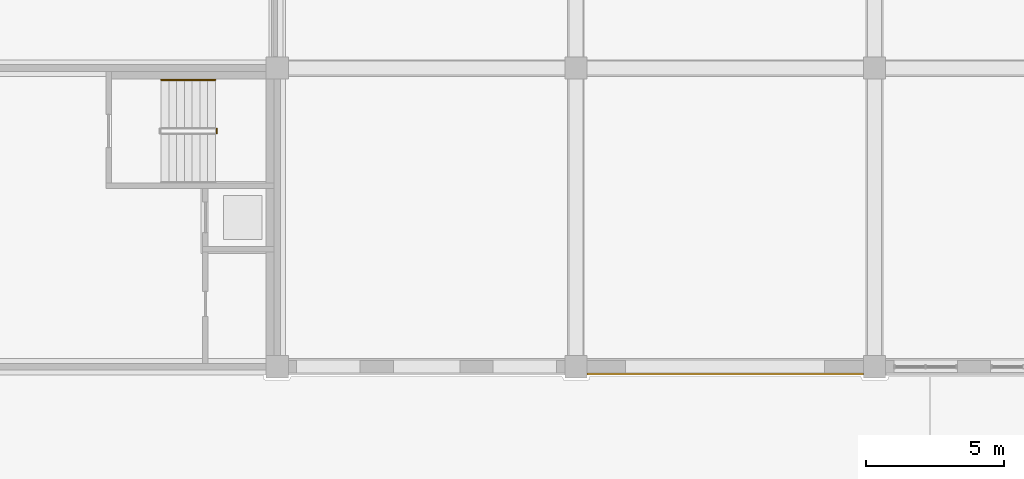
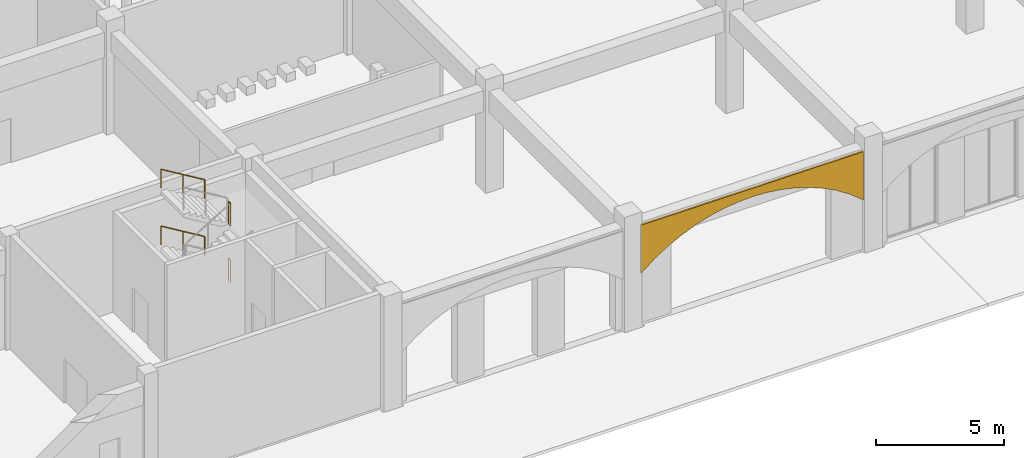
# One storey, part 76 of 101: 4 railings, 1 covering.
"""IFC4 building model written with IfcOpenShell, lengths in metres."""

from ifc_helpers import new_model, si_unit, direction, frame, origin, origin_2d, place, context, subcontext, project, spatial, polyline, circle, outline, extrude, material, layer, layer_set, type_object, element, save


model = new_model("IFC4")

# Units and contexts
model_context = context("Model", 3, precision=1e-05, world=origin(), true_north=direction((0.0, 1.0)))
body_context = subcontext(model_context, "Body", "Model", "MODEL_VIEW")
ifc_project = project(units=[si_unit("LENGTHUNIT", "METRE"), si_unit("AREAUNIT", "SQUARE_METRE"), si_unit("VOLUMEUNIT", "CUBIC_METRE"), si_unit("PLANEANGLEUNIT", "RADIAN"), si_unit("MASSUNIT", "GRAM", prefix="KILO")], contexts=[model_context])

# Site, building, storey
site_placement = place(None, origin())
site = spatial("IfcSite", under=ifc_project, at=site_placement, CompositionType="ELEMENT")
building_placement = place(site_placement, origin())
building = spatial("IfcBuilding", under=site, at=building_placement, Name="Magnolia Steps Interchange", CompositionType="ELEMENT")
storey_placement = place(building_placement, frame((0.0, 0.0, -5.39990234375)))
storey = spatial("IfcBuildingStorey", under=building, at=storey_placement, Name="B1", CompositionType="ELEMENT", Elevation=-5.39990234375)

# Covering
ifc_material_1 = material(Name="Lime render")
ifc_layer = layer(ifc_material_1, 0.080078125)
ifc_layer_set = layer_set([ifc_layer], Name="Lime render arch infill")
covering_type = type_object("IfcCoveringType", Name="Lime render arch infill", PredefinedType="CLADDING", material=ifc_layer_set)
covering_placement = place(storey_placement, frame((53.60009765625, 9.77490234375, 2.39990234375), z_axis=(0.0, 1.0, 0.0), x_axis=(0.0, 0.0, 1.0)))
element("IfcCovering", 1, at=covering_placement, inside=storey, type_object=covering_type, Name="Arch spandrel south edge 2", PredefinedType="CLADDING", context=body_context, shape_type="SweptSolid", body=[
    extrude(outline(polyline([(0.0, 0.0), (2.300048828, 0.0), (2.300048828, 10.0), (0.0, 10.0), (0.498291016, 9.375), (0.899658203, 8.75), (1.220703125, 8.125), (1.472900391, 7.5), (1.662841797, 6.875), (1.795410156, 6.25), (1.874023438, 5.625), (1.899902344, 5.0), (1.874023438, 4.375), (1.795410156, 3.75), (1.662841797, 3.125), (1.472900391, 2.5), (1.220703125, 1.875), (0.899658203, 1.25), (0.498291016, 0.625), (0.0, 0.0)])), origin(), (0.0, 0.0, -1.0), 0.080078125),
])

# Railings
ifc_material_2 = material(Name="Stainless steel grade 304", Category="steel")
railing_type_1 = type_object("IfcRailingType", Name="Stair guard 1100", PredefinedType="GUARDRAIL", material=ifc_material_2)
for number, where, name in (
    (2, (40.2099609375, 18.449951171875, 1.349853515625), "B1 ST25 stair guard 2"),
    (3, (40.2099609375, 18.449951171875, 4.0498046875), "B1 ST25 stair guard 6"),
):
    element("IfcRailing", number, at=place(storey_placement, frame(where)), inside=storey, type_object=railing_type_1, Name=name, PredefinedType="GUARDRAIL", context=body_context, shape_type="SweptSolid", body=[
        extrude(circle(Radius=0.02392578125, at=origin_2d()), frame((0.0, 0.0, 1.076171875), z_axis=(0.0, 1.0, 0.0), x_axis=(-1.0, 0.0, 0.0)), (0.0, 0.0, 1.0), 0.150146484375),
        extrude(circle(Radius=0.02099609375, at=origin_2d()), origin(), (0.0, 0.0, 1.0), 1.052001953125),
        extrude(circle(Radius=0.02099609375, at=origin_2d()), frame((0.0, 0.150146484375, 0.0)), (0.0, 0.0, 1.0), 1.052001953125),
    ])
ifc_material_3 = material(Name="Stainless steel grade 304", Category="steel")
railing_type_2 = type_object("IfcRailingType", Name="Stair handrail 900", PredefinedType="HANDRAIL", material=ifc_material_3)
railing_1_placement = place(storey_placement, frame((40.159912109375, 20.3759765625, 1.5185546875)))
element("IfcRailing", 4, at=railing_1_placement, inside=storey, type_object=railing_type_2, Name="B1 ST25 stair handrail 2", PredefinedType="HANDRAIL", context=body_context, shape_type="SweptSolid", body=[
    extrude(circle(Radius=0.02392578125, at=origin_2d()), frame((0.0, 0.0, 0.8759765625), z_axis=(-0.856446297458, 0.0, 0.516236127728), x_axis=(0.0, -1.0, 0.0)), (0.0, 0.0, 1.0), 2.28857421875),
    extrude(circle(Radius=0.02099609375, at=origin_2d()), origin(), (0.0, 0.0, 1.0), 0.851806640625),
    extrude(circle(Radius=0.02099609375, at=origin_2d()), frame((-0.97998046875, 0.0, 0.5908203125)), (0.0, 0.0, 1.0), 0.851806640625),
    extrude(circle(Radius=0.02099609375, at=origin_2d()), frame((-1.9599609375, 0.0, 1.181396484375)), (0.0, 0.0, 1.0), 0.851806640625),
])
railing_2_placement = place(storey_placement, frame((40.159912109375, 20.3759765625, 4.21875)))
element("IfcRailing", 5, at=railing_2_placement, inside=storey, type_object=railing_type_2, Name="B1 ST25 stair handrail 4", PredefinedType="HANDRAIL", context=body_context, shape_type="SweptSolid", body=[
    extrude(circle(Radius=0.02392578125, at=origin_2d()), frame((0.0, 0.0, 0.8759765625), z_axis=(-0.856493463811, 0.0, 0.516157869696), x_axis=(0.0, -1.0, 0.0)), (0.0, 0.0, 1.0), 2.288330078125),
    extrude(circle(Radius=0.02099609375, at=origin_2d()), origin(), (0.0, 0.0, 1.0), 0.851806640625),
    extrude(circle(Radius=0.02099609375, at=origin_2d()), frame((-0.97998046875, 0.0, 0.590576171875)), (0.0, 0.0, 1.0), 0.851806640625),
    extrude(circle(Radius=0.02099609375, at=origin_2d()), frame((-1.9599609375, 0.0, 1.18115234375)), (0.0, 0.0, 1.0), 0.851806640625),
])

save(model, "model.ifc")
